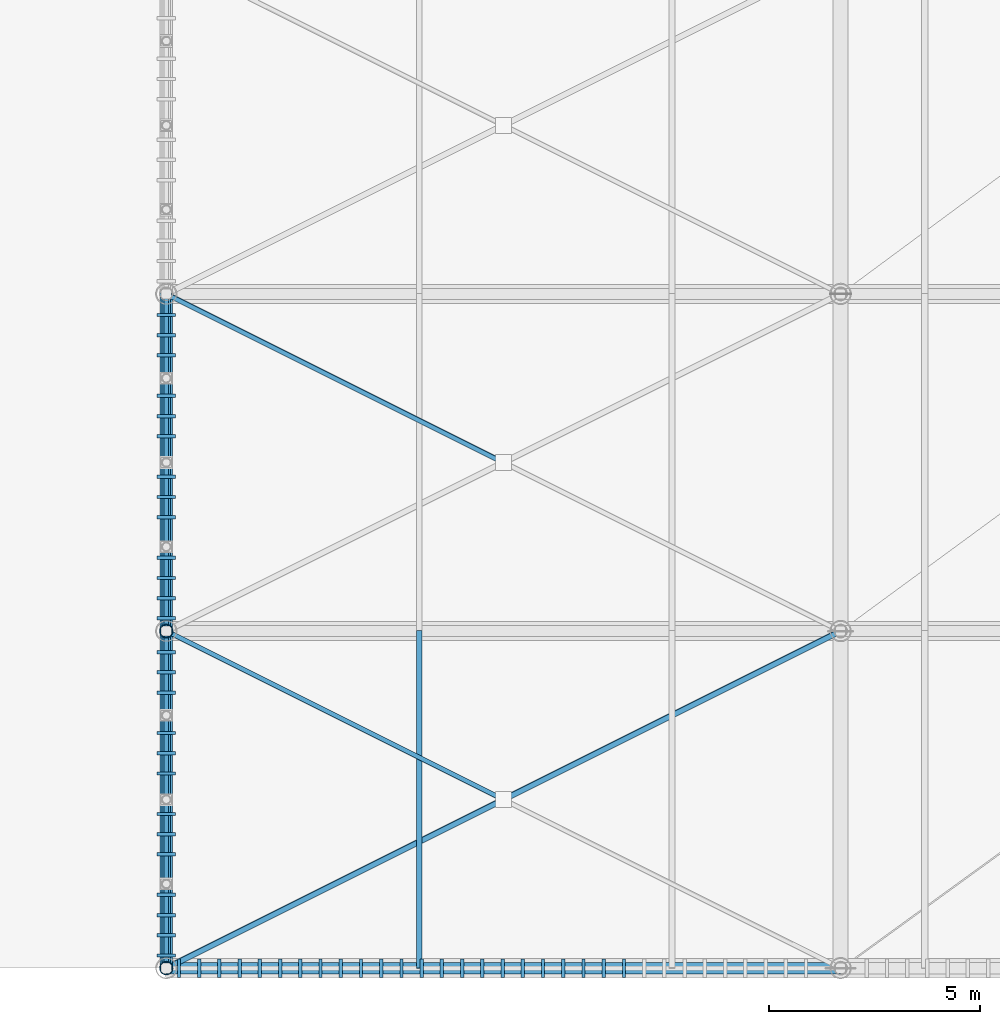
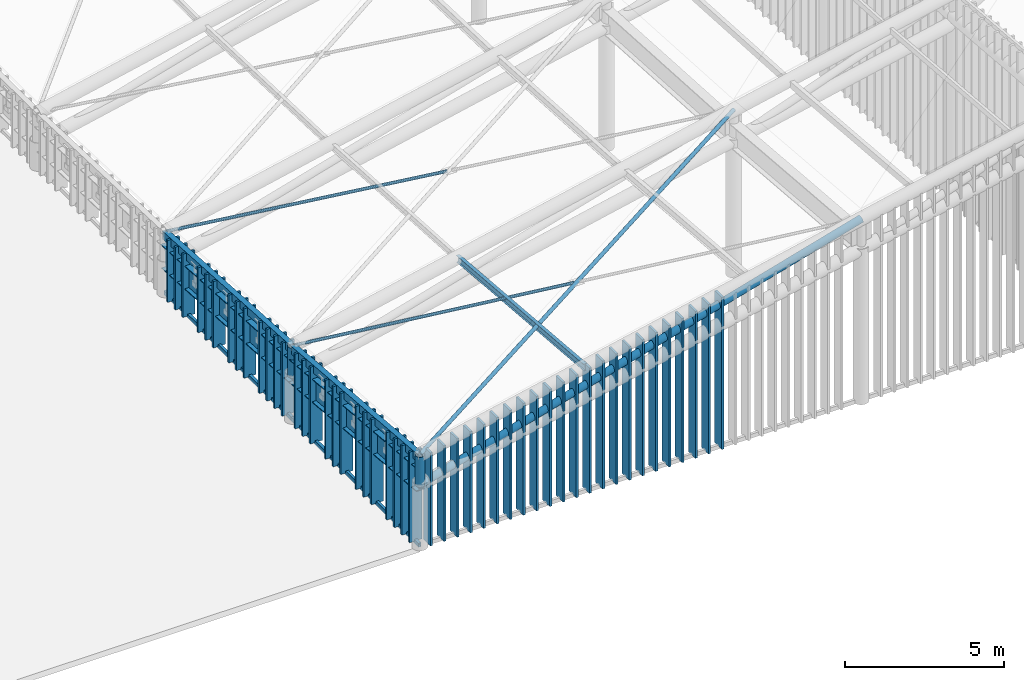
# One storey, part 3 of 25: 58 members, 4 beams.
"""IFC4 building model written with IfcOpenShell, lengths in metres."""

from ifc_helpers import new_model, si_unit, direction, frame, origin, origin_2d, place, context, subcontext, project, spatial, rectangle, hollow_rectangle, hollow_circle, i_section, extrude, material, material_profile, profile_set, type_object, element, save


model = new_model("IFC4")

# Units and contexts
model_context = context("Model", 3, precision=1e-05, world=origin(), true_north=direction((0.0, 1.0)))
body_context = subcontext(model_context, "Body", "Model", "MODEL_VIEW")
ifc_project = project(units=[si_unit("LENGTHUNIT", "METRE"), si_unit("AREAUNIT", "SQUARE_METRE"), si_unit("VOLUMEUNIT", "CUBIC_METRE"), si_unit("PLANEANGLEUNIT", "RADIAN"), si_unit("MASSUNIT", "GRAM", prefix="KILO")], contexts=[model_context])

# Site, building, storey
site_placement = place(None, origin())
site = spatial("IfcSite", under=ifc_project, at=site_placement, CompositionType="ELEMENT")
building_placement = place(site_placement, origin())
building = spatial("IfcBuilding", under=site, at=building_placement, Name="Haebicheon Civic Stadium", CompositionType="ELEMENT")
storey_placement = place(building_placement, frame((0.0, 0.0, 31.199951171875)))
storey = spatial("IfcBuildingStorey", under=building, at=storey_placement, Name="RF", CompositionType="ELEMENT", Elevation=31.199951171875)

# Members
ifc_material_1 = material(Name="White painted steel SM490", Category="steel")
ifc_material_profile_1 = material_profile(ifc_material_1, hollow_circle(Radius=0.05712890625, WallThickness=0.006103515625, at=origin_2d()), Name="CHS-114.3x6.0")
ifc_profile_set_1 = profile_set([ifc_material_profile_1], Name="White painted steel SM490")
member_type_1 = type_object("IfcMemberType", Name="BRC-CHS114", PredefinedType="BRACE", material=ifc_profile_set_1)
member_1_placement = place(storey_placement, frame((48.0, 56.0, 2.84716796875), z_axis=(0.87165287148, -0.435880059417, 0.224120158496), x_axis=(0.447257613669, 0.894405180561, 0.0)))
element("IfcMember", 1, at=member_1_placement, inside=storey, type_object=member_type_1, material=ifc_profile_set_1, Name="BR114 diagonal brace CAN-WEST canopy bay 1 B1", PredefinedType="BRACE", context=body_context, shape_type="SweptSolid", body=[
    extrude(hollow_circle(Radius=0.05712890625, WallThickness=0.006103515625, at=origin_2d()), origin(), (0.0, 0.0, 1.0), 9.105712890625),
])
member_2_placement = place(storey_placement, frame((48.0, 64.0, 2.365966796875), z_axis=(0.873664900852, -0.436886197882, 0.214102991851), x_axis=(0.447257613669, 0.894405180561, 0.0)))
element("IfcMember", 2, at=member_2_placement, inside=storey, type_object=member_type_1, material=ifc_profile_set_1, Name="BR114 diagonal brace CAN-WEST canopy bay 2 B1", PredefinedType="BRACE", context=body_context, shape_type="SweptSolid", body=[
    extrude(hollow_circle(Radius=0.05712890625, WallThickness=0.006103515625, at=origin_2d()), origin(), (0.0, 0.0, 1.0), 9.084716796875),
])
ifc_material_2 = material(Name="White painted steel SM490", Category="steel")
ifc_material_profile_2 = material_profile(ifc_material_2, hollow_circle(Radius=0.06982421875, WallThickness=0.006591796875, at=origin_2d()), Name="CHS-139.8x6.6")
ifc_profile_set_2 = profile_set([ifc_material_profile_2], Name="White painted steel SM490")
member_type_2 = type_object("IfcMemberType", Name="BRC-CHS139", PredefinedType="BRACE", material=ifc_profile_set_2)
member_3_placement = place(storey_placement, frame((48.0, 48.0, 3.52099609375), z_axis=(0.88392207516, 0.44196103758, 0.152814286981), x_axis=(-0.4472135955, 0.894427191, 0.0)))
element("IfcMember", 3, at=member_3_placement, inside=storey, type_object=member_type_2, material=ifc_profile_set_2, Name="BR139 diagonal brace CAN-WEST canopy bay 1 A", PredefinedType="BRACE", context=body_context, shape_type="SweptSolid", body=[
    extrude(hollow_circle(Radius=0.06982421875, WallThickness=0.006591796875, at=origin_2d()), origin(), (0.0, 0.0, 1.0), 18.10107421875),
])
ifc_material_3 = material(Name="White painted steel SM490", Category="steel")
ifc_material_profile_3 = material_profile(ifc_material_3, hollow_circle(Radius=0.1337890625, WallThickness=0.011962890625, at=origin_2d()), Name="CHS-267.4x12.0")
ifc_profile_set_3 = profile_set([ifc_material_profile_3], Name="White painted steel SM490")
member_type_3 = type_object("IfcMemberType", Name="BRC-CHS267", PredefinedType="BRACE", material=ifc_profile_set_3)
member_4_placement = place(storey_placement, frame((48.0, 48.0, 2.37109375), z_axis=(0.961231166105, 0.0, 0.275743803753), x_axis=(0.0, 1.0, 0.0)))
element("IfcMember", 4, at=member_4_placement, inside=storey, type_object=member_type_3, material=ifc_profile_set_3, Name="BR267 diagonal brace CAN-WEST truss 1 D1", PredefinedType="BRACE", context=body_context, shape_type="SweptSolid", body=[
    extrude(hollow_circle(Radius=0.1337890625, WallThickness=0.011962890625, at=origin_2d()), origin(), (0.0, 0.0, 1.0), 16.645263671875),
])
ifc_material_4 = material(Name="Acetylated timber GL28h", Category="wood")
ifc_material_profile_4 = material_profile(ifc_material_4, rectangle(XDim=0.080078125, YDim=0.43994140625, at=origin_2d()), Name="TMB-LOUV-80x440")
ifc_profile_set_4 = profile_set([ifc_material_profile_4], Name="Acetylated timber GL28h")
member_type_4 = type_object("IfcMemberType", Name="CRN-LVR-440x80", PredefinedType="PLATE", material=ifc_profile_set_4)
member_5_placement = place(storey_placement, frame((48.0, 48.300048828125, 0.050048828125), z_axis=(0.0, 0.0, 1.0), x_axis=(0.0, 1.0, 0.0)))
element("IfcMember", 5, at=member_5_placement, inside=storey, type_object=member_type_4, material=ifc_profile_set_4, Name="Crown wind-baffle slat W.1.1", PredefinedType="PLATE", context=body_context, shape_type="SweptSolid", body=[
    extrude(rectangle(XDim=0.080078125, YDim=0.43994140625, at=origin_2d()), origin(), (0.0, 0.0, 1.0), 3.47509765625),
])
member_6_placement = place(storey_placement, frame((48.0, 48.780029296875, 0.050048828125), z_axis=(0.0, 0.0, 1.0), x_axis=(0.0, 1.0, 0.0)))
element("IfcMember", 6, at=member_6_placement, inside=storey, type_object=member_type_4, material=ifc_profile_set_4, Name="Crown wind-baffle slat W.1.2", PredefinedType="PLATE", context=body_context, shape_type="SweptSolid", body=[
    extrude(rectangle(XDim=0.080078125, YDim=0.43994140625, at=origin_2d()), origin(), (0.0, 0.0, 1.0), 3.43408203125),
])
member_7_placement = place(storey_placement, frame((48.0, 49.260009765625, 0.050048828125), z_axis=(0.0, 0.0, 1.0), x_axis=(0.0, 1.0, 0.0)))
element("IfcMember", 7, at=member_7_placement, inside=storey, type_object=member_type_4, material=ifc_profile_set_4, Name="Crown wind-baffle slat W.1.3", PredefinedType="PLATE", context=body_context, shape_type="SweptSolid", body=[
    extrude(rectangle(XDim=0.080078125, YDim=0.43994140625, at=origin_2d()), origin(), (0.0, 0.0, 1.0), 3.39404296875),
])
member_8_placement = place(storey_placement, frame((48.0, 49.739990234375, 0.050048828125), z_axis=(0.0, 0.0, 1.0), x_axis=(0.0, 1.0, 0.0)))
element("IfcMember", 8, at=member_8_placement, inside=storey, type_object=member_type_4, material=ifc_profile_set_4, Name="Crown wind-baffle slat W.1.4", PredefinedType="PLATE", context=body_context, shape_type="SweptSolid", body=[
    extrude(rectangle(XDim=0.080078125, YDim=0.43994140625, at=origin_2d()), origin(), (0.0, 0.0, 1.0), 3.35302734375),
])
member_9_placement = place(storey_placement, frame((48.0, 50.699951171875, 0.050048828125), z_axis=(0.0, 0.0, 1.0), x_axis=(0.0, 1.0, 0.0)))
element("IfcMember", 9, at=member_9_placement, inside=storey, type_object=member_type_4, material=ifc_profile_set_4, Name="Crown wind-baffle slat W.1.6", PredefinedType="PLATE", context=body_context, shape_type="SweptSolid", body=[
    extrude(rectangle(XDim=0.080078125, YDim=0.43994140625, at=origin_2d()), origin(), (0.0, 0.0, 1.0), 3.27294921875),
])
member_10_placement = place(storey_placement, frame((48.0, 51.179931640625, 0.050048828125), z_axis=(0.0, 0.0, 1.0), x_axis=(0.0, 1.0, 0.0)))
element("IfcMember", 10, at=member_10_placement, inside=storey, type_object=member_type_4, material=ifc_profile_set_4, Name="Crown wind-baffle slat W.1.7", PredefinedType="PLATE", context=body_context, shape_type="SweptSolid", body=[
    extrude(rectangle(XDim=0.080078125, YDim=0.43994140625, at=origin_2d()), origin(), (0.0, 0.0, 1.0), 3.23193359375),
])
member_11_placement = place(storey_placement, frame((48.0, 51.659912109375, 0.050048828125), z_axis=(0.0, 0.0, 1.0), x_axis=(0.0, 1.0, 0.0)))
element("IfcMember", 11, at=member_11_placement, inside=storey, type_object=member_type_4, material=ifc_profile_set_4, Name="Crown wind-baffle slat W.1.8", PredefinedType="PLATE", context=body_context, shape_type="SweptSolid", body=[
    extrude(rectangle(XDim=0.080078125, YDim=0.43994140625, at=origin_2d()), origin(), (0.0, 0.0, 1.0), 3.19189453125),
])
member_12_placement = place(storey_placement, frame((48.0, 52.6201171875, 0.050048828125), z_axis=(0.0, 0.0, 1.0), x_axis=(0.0, 1.0, 0.0)))
element("IfcMember", 12, at=member_12_placement, inside=storey, type_object=member_type_4, material=ifc_profile_set_4, Name="Crown wind-baffle slat W.1.10", PredefinedType="PLATE", context=body_context, shape_type="SweptSolid", body=[
    extrude(rectangle(XDim=0.080078125, YDim=0.43994140625, at=origin_2d()), origin(), (0.0, 0.0, 1.0), 3.111083984375),
])
member_13_placement = place(storey_placement, frame((48.0, 53.10009765625, 0.050048828125), z_axis=(0.0, 0.0, 1.0), x_axis=(0.0, 1.0, 0.0)))
element("IfcMember", 13, at=member_13_placement, inside=storey, type_object=member_type_4, material=ifc_profile_set_4, Name="Crown wind-baffle slat W.1.11", PredefinedType="PLATE", context=body_context, shape_type="SweptSolid", body=[
    extrude(rectangle(XDim=0.080078125, YDim=0.43994140625, at=origin_2d()), origin(), (0.0, 0.0, 1.0), 3.070068359375),
])
member_14_placement = place(storey_placement, frame((48.0, 53.580078125, 0.050048828125), z_axis=(0.0, 0.0, 1.0), x_axis=(0.0, 1.0, 0.0)))
element("IfcMember", 14, at=member_14_placement, inside=storey, type_object=member_type_4, material=ifc_profile_set_4, Name="Crown wind-baffle slat W.1.12", PredefinedType="PLATE", context=body_context, shape_type="SweptSolid", body=[
    extrude(rectangle(XDim=0.080078125, YDim=0.43994140625, at=origin_2d()), origin(), (0.0, 0.0, 1.0), 3.030029296875),
])
member_15_placement = place(storey_placement, frame((48.0, 54.5400390625, 0.050048828125), z_axis=(0.0, 0.0, 1.0), x_axis=(0.0, 1.0, 0.0)))
element("IfcMember", 15, at=member_15_placement, inside=storey, type_object=member_type_4, material=ifc_profile_set_4, Name="Crown wind-baffle slat W.1.14", PredefinedType="PLATE", context=body_context, shape_type="SweptSolid", body=[
    extrude(rectangle(XDim=0.080078125, YDim=0.43994140625, at=origin_2d()), origin(), (0.0, 0.0, 1.0), 2.948974609375),
])
member_16_placement = place(storey_placement, frame((48.0, 55.02001953125, 0.050048828125), z_axis=(0.0, 0.0, 1.0), x_axis=(0.0, 1.0, 0.0)))
element("IfcMember", 16, at=member_16_placement, inside=storey, type_object=member_type_4, material=ifc_profile_set_4, Name="Crown wind-baffle slat W.1.15", PredefinedType="PLATE", context=body_context, shape_type="SweptSolid", body=[
    extrude(rectangle(XDim=0.080078125, YDim=0.43994140625, at=origin_2d()), origin(), (0.0, 0.0, 1.0), 2.908935546875),
])
member_17_placement = place(storey_placement, frame((48.0, 55.5, 0.050048828125), z_axis=(0.0, 0.0, 1.0), x_axis=(0.0, 1.0, 0.0)))
element("IfcMember", 17, at=member_17_placement, inside=storey, type_object=member_type_4, material=ifc_profile_set_4, Name="Crown wind-baffle slat W.1.16", PredefinedType="PLATE", context=body_context, shape_type="SweptSolid", body=[
    extrude(rectangle(XDim=0.080078125, YDim=0.43994140625, at=origin_2d()), origin(), (0.0, 0.0, 1.0), 2.867919921875),
])
member_18_placement = place(storey_placement, frame((48.0, 56.300048828125, 0.050048828125), z_axis=(0.0, 0.0, 1.0), x_axis=(0.0, 1.0, 0.0)))
element("IfcMember", 18, at=member_18_placement, inside=storey, type_object=member_type_4, material=ifc_profile_set_4, Name="Crown wind-baffle slat W.2.1", PredefinedType="PLATE", context=body_context, shape_type="SweptSolid", body=[
    extrude(rectangle(XDim=0.080078125, YDim=0.43994140625, at=origin_2d()), origin(), (0.0, 0.0, 1.0), 2.80810546875),
])
member_19_placement = place(storey_placement, frame((48.0, 56.780029296875, 0.050048828125), z_axis=(0.0, 0.0, 1.0), x_axis=(0.0, 1.0, 0.0)))
element("IfcMember", 19, at=member_19_placement, inside=storey, type_object=member_type_4, material=ifc_profile_set_4, Name="Crown wind-baffle slat W.2.2", PredefinedType="PLATE", context=body_context, shape_type="SweptSolid", body=[
    extrude(rectangle(XDim=0.080078125, YDim=0.43994140625, at=origin_2d()), origin(), (0.0, 0.0, 1.0), 2.779052734375),
])
member_20_placement = place(storey_placement, frame((48.0, 57.260009765625, 0.050048828125), z_axis=(0.0, 0.0, 1.0), x_axis=(0.0, 1.0, 0.0)))
element("IfcMember", 20, at=member_20_placement, inside=storey, type_object=member_type_4, material=ifc_profile_set_4, Name="Crown wind-baffle slat W.2.3", PredefinedType="PLATE", context=body_context, shape_type="SweptSolid", body=[
    extrude(rectangle(XDim=0.080078125, YDim=0.43994140625, at=origin_2d()), origin(), (0.0, 0.0, 1.0), 2.75),
])
member_21_placement = place(storey_placement, frame((48.0, 57.739990234375, 0.050048828125), z_axis=(0.0, 0.0, 1.0), x_axis=(0.0, 1.0, 0.0)))
element("IfcMember", 21, at=member_21_placement, inside=storey, type_object=member_type_4, material=ifc_profile_set_4, Name="Crown wind-baffle slat W.2.4", PredefinedType="PLATE", context=body_context, shape_type="SweptSolid", body=[
    extrude(rectangle(XDim=0.080078125, YDim=0.43994140625, at=origin_2d()), origin(), (0.0, 0.0, 1.0), 2.720947265625),
])
member_22_placement = place(storey_placement, frame((48.0, 58.699951171875, 0.050048828125), z_axis=(0.0, 0.0, 1.0), x_axis=(0.0, 1.0, 0.0)))
element("IfcMember", 22, at=member_22_placement, inside=storey, type_object=member_type_4, material=ifc_profile_set_4, Name="Crown wind-baffle slat W.2.6", PredefinedType="PLATE", context=body_context, shape_type="SweptSolid", body=[
    extrude(rectangle(XDim=0.080078125, YDim=0.43994140625, at=origin_2d()), origin(), (0.0, 0.0, 1.0), 2.6640625),
])
member_23_placement = place(storey_placement, frame((48.0, 59.179931640625, 0.050048828125), z_axis=(0.0, 0.0, 1.0), x_axis=(0.0, 1.0, 0.0)))
element("IfcMember", 23, at=member_23_placement, inside=storey, type_object=member_type_4, material=ifc_profile_set_4, Name="Crown wind-baffle slat W.2.7", PredefinedType="PLATE", context=body_context, shape_type="SweptSolid", body=[
    extrude(rectangle(XDim=0.080078125, YDim=0.43994140625, at=origin_2d()), origin(), (0.0, 0.0, 1.0), 2.635009765625),
])
member_24_placement = place(storey_placement, frame((48.0, 59.659912109375, 0.050048828125), z_axis=(0.0, 0.0, 1.0), x_axis=(0.0, 1.0, 0.0)))
element("IfcMember", 24, at=member_24_placement, inside=storey, type_object=member_type_4, material=ifc_profile_set_4, Name="Crown wind-baffle slat W.2.8", PredefinedType="PLATE", context=body_context, shape_type="SweptSolid", body=[
    extrude(rectangle(XDim=0.080078125, YDim=0.43994140625, at=origin_2d()), origin(), (0.0, 0.0, 1.0), 2.60595703125),
])
member_25_placement = place(storey_placement, frame((48.0, 60.6201171875, 0.050048828125), z_axis=(0.0, 0.0, 1.0), x_axis=(0.0, 1.0, 0.0)))
element("IfcMember", 25, at=member_25_placement, inside=storey, type_object=member_type_4, material=ifc_profile_set_4, Name="Crown wind-baffle slat W.2.10", PredefinedType="PLATE", context=body_context, shape_type="SweptSolid", body=[
    extrude(rectangle(XDim=0.080078125, YDim=0.43994140625, at=origin_2d()), origin(), (0.0, 0.0, 1.0), 2.548095703125),
])
member_26_placement = place(storey_placement, frame((48.0, 61.10009765625, 0.050048828125), z_axis=(0.0, 0.0, 1.0), x_axis=(0.0, 1.0, 0.0)))
element("IfcMember", 26, at=member_26_placement, inside=storey, type_object=member_type_4, material=ifc_profile_set_4, Name="Crown wind-baffle slat W.2.11", PredefinedType="PLATE", context=body_context, shape_type="SweptSolid", body=[
    extrude(rectangle(XDim=0.080078125, YDim=0.43994140625, at=origin_2d()), origin(), (0.0, 0.0, 1.0), 2.51904296875),
])
member_27_placement = place(storey_placement, frame((48.0, 61.580078125, 0.050048828125), z_axis=(0.0, 0.0, 1.0), x_axis=(0.0, 1.0, 0.0)))
element("IfcMember", 27, at=member_27_placement, inside=storey, type_object=member_type_4, material=ifc_profile_set_4, Name="Crown wind-baffle slat W.2.12", PredefinedType="PLATE", context=body_context, shape_type="SweptSolid", body=[
    extrude(rectangle(XDim=0.080078125, YDim=0.43994140625, at=origin_2d()), origin(), (0.0, 0.0, 1.0), 2.490966796875),
])
member_28_placement = place(storey_placement, frame((48.0, 62.5400390625, 0.050048828125), z_axis=(0.0, 0.0, 1.0), x_axis=(0.0, 1.0, 0.0)))
element("IfcMember", 28, at=member_28_placement, inside=storey, type_object=member_type_4, material=ifc_profile_set_4, Name="Crown wind-baffle slat W.2.14", PredefinedType="PLATE", context=body_context, shape_type="SweptSolid", body=[
    extrude(rectangle(XDim=0.080078125, YDim=0.43994140625, at=origin_2d()), origin(), (0.0, 0.0, 1.0), 2.43310546875),
])
member_29_placement = place(storey_placement, frame((48.0, 63.02001953125, 0.050048828125), z_axis=(0.0, 0.0, 1.0), x_axis=(0.0, 1.0, 0.0)))
element("IfcMember", 29, at=member_29_placement, inside=storey, type_object=member_type_4, material=ifc_profile_set_4, Name="Crown wind-baffle slat W.2.15", PredefinedType="PLATE", context=body_context, shape_type="SweptSolid", body=[
    extrude(rectangle(XDim=0.080078125, YDim=0.43994140625, at=origin_2d()), origin(), (0.0, 0.0, 1.0), 2.404052734375),
])
member_30_placement = place(storey_placement, frame((48.0, 63.5, 0.050048828125), z_axis=(0.0, 0.0, 1.0), x_axis=(0.0, 1.0, 0.0)))
element("IfcMember", 30, at=member_30_placement, inside=storey, type_object=member_type_4, material=ifc_profile_set_4, Name="Crown wind-baffle slat W.2.16", PredefinedType="PLATE", context=body_context, shape_type="SweptSolid", body=[
    extrude(rectangle(XDim=0.080078125, YDim=0.43994140625, at=origin_2d()), origin(), (0.0, 0.0, 1.0), 2.375),
])
member_31_placement = place(storey_placement, frame((48.300048828125, 48.0, 0.050048828125), z_axis=(0.0, 0.0, 1.0), x_axis=(1.0, 0.0, 0.0)))
element("IfcMember", 31, at=member_31_placement, inside=storey, type_object=member_type_4, material=ifc_profile_set_4, Name="Crown gable wind-baffle slat S.1", PredefinedType="PLATE", context=body_context, shape_type="SweptSolid", body=[
    extrude(rectangle(XDim=0.080078125, YDim=0.43994140625, at=origin_2d()), origin(), (0.0, 0.0, 1.0), 3.56396484375),
])
member_32_placement = place(storey_placement, frame((48.780029296875, 48.0, 0.050048828125), z_axis=(0.0, 0.0, 1.0), x_axis=(1.0, 0.0, 0.0)))
element("IfcMember", 32, at=member_32_placement, inside=storey, type_object=member_type_4, material=ifc_profile_set_4, Name="Crown gable wind-baffle slat S.2", PredefinedType="PLATE", context=body_context, shape_type="SweptSolid", body=[
    extrude(rectangle(XDim=0.080078125, YDim=0.43994140625, at=origin_2d()), origin(), (0.0, 0.0, 1.0), 3.66796875),
])
member_33_placement = place(storey_placement, frame((49.260009765625, 48.0, 0.050048828125), z_axis=(0.0, 0.0, 1.0), x_axis=(1.0, 0.0, 0.0)))
element("IfcMember", 33, at=member_33_placement, inside=storey, type_object=member_type_4, material=ifc_profile_set_4, Name="Crown gable wind-baffle slat S.3", PredefinedType="PLATE", context=body_context, shape_type="SweptSolid", body=[
    extrude(rectangle(XDim=0.080078125, YDim=0.43994140625, at=origin_2d()), origin(), (0.0, 0.0, 1.0), 3.77099609375),
])
member_34_placement = place(storey_placement, frame((49.739990234375, 48.0, 0.050048828125), z_axis=(0.0, 0.0, 1.0), x_axis=(1.0, 0.0, 0.0)))
element("IfcMember", 34, at=member_34_placement, inside=storey, type_object=member_type_4, material=ifc_profile_set_4, Name="Crown gable wind-baffle slat S.4", PredefinedType="PLATE", context=body_context, shape_type="SweptSolid", body=[
    extrude(rectangle(XDim=0.080078125, YDim=0.43994140625, at=origin_2d()), origin(), (0.0, 0.0, 1.0), 3.8740234375),
])
member_35_placement = place(storey_placement, frame((50.219970703125, 48.0, 0.050048828125), z_axis=(0.0, 0.0, 1.0), x_axis=(1.0, 0.0, 0.0)))
element("IfcMember", 35, at=member_35_placement, inside=storey, type_object=member_type_4, material=ifc_profile_set_4, Name="Crown gable wind-baffle slat S.5", PredefinedType="PLATE", context=body_context, shape_type="SweptSolid", body=[
    extrude(rectangle(XDim=0.080078125, YDim=0.43994140625, at=origin_2d()), origin(), (0.0, 0.0, 1.0), 3.97705078125),
])
member_36_placement = place(storey_placement, frame((50.699951171875, 48.0, 0.050048828125), z_axis=(0.0, 0.0, 1.0), x_axis=(1.0, 0.0, 0.0)))
element("IfcMember", 36, at=member_36_placement, inside=storey, type_object=member_type_4, material=ifc_profile_set_4, Name="Crown gable wind-baffle slat S.6", PredefinedType="PLATE", context=body_context, shape_type="SweptSolid", body=[
    extrude(rectangle(XDim=0.080078125, YDim=0.43994140625, at=origin_2d()), origin(), (0.0, 0.0, 1.0), 4.080078125),
])
member_37_placement = place(storey_placement, frame((51.179931640625, 48.0, 0.050048828125), z_axis=(0.0, 0.0, 1.0), x_axis=(1.0, 0.0, 0.0)))
element("IfcMember", 37, at=member_37_placement, inside=storey, type_object=member_type_4, material=ifc_profile_set_4, Name="Crown gable wind-baffle slat S.7", PredefinedType="PLATE", context=body_context, shape_type="SweptSolid", body=[
    extrude(rectangle(XDim=0.080078125, YDim=0.43994140625, at=origin_2d()), origin(), (0.0, 0.0, 1.0), 4.18408203125),
])
member_38_placement = place(storey_placement, frame((51.659912109375, 48.0, 0.050048828125), z_axis=(0.0, 0.0, 1.0), x_axis=(1.0, 0.0, 0.0)))
element("IfcMember", 38, at=member_38_placement, inside=storey, type_object=member_type_4, material=ifc_profile_set_4, Name="Crown gable wind-baffle slat S.8", PredefinedType="PLATE", context=body_context, shape_type="SweptSolid", body=[
    extrude(rectangle(XDim=0.080078125, YDim=0.43994140625, at=origin_2d()), origin(), (0.0, 0.0, 1.0), 4.287109375),
])
member_39_placement = place(storey_placement, frame((52.139892578125, 48.0, 0.050048828125), z_axis=(0.0, 0.0, 1.0), x_axis=(1.0, 0.0, 0.0)))
element("IfcMember", 39, at=member_39_placement, inside=storey, type_object=member_type_4, material=ifc_profile_set_4, Name="Crown gable wind-baffle slat S.9", PredefinedType="PLATE", context=body_context, shape_type="SweptSolid", body=[
    extrude(rectangle(XDim=0.080078125, YDim=0.43994140625, at=origin_2d()), origin(), (0.0, 0.0, 1.0), 4.389892578125),
])
member_40_placement = place(storey_placement, frame((52.6201171875, 48.0, 0.050048828125), z_axis=(0.0, 0.0, 1.0), x_axis=(1.0, 0.0, 0.0)))
element("IfcMember", 40, at=member_40_placement, inside=storey, type_object=member_type_4, material=ifc_profile_set_4, Name="Crown gable wind-baffle slat S.10", PredefinedType="PLATE", context=body_context, shape_type="SweptSolid", body=[
    extrude(rectangle(XDim=0.080078125, YDim=0.43994140625, at=origin_2d()), origin(), (0.0, 0.0, 1.0), 4.492919921875),
])
member_41_placement = place(storey_placement, frame((53.10009765625, 48.0, 0.050048828125), z_axis=(0.0, 0.0, 1.0), x_axis=(1.0, 0.0, 0.0)))
element("IfcMember", 41, at=member_41_placement, inside=storey, type_object=member_type_4, material=ifc_profile_set_4, Name="Crown gable wind-baffle slat S.11", PredefinedType="PLATE", context=body_context, shape_type="SweptSolid", body=[
    extrude(rectangle(XDim=0.080078125, YDim=0.43994140625, at=origin_2d()), origin(), (0.0, 0.0, 1.0), 4.595947265625),
])
member_42_placement = place(storey_placement, frame((53.580078125, 48.0, 0.050048828125), z_axis=(0.0, 0.0, 1.0), x_axis=(1.0, 0.0, 0.0)))
element("IfcMember", 42, at=member_42_placement, inside=storey, type_object=member_type_4, material=ifc_profile_set_4, Name="Crown gable wind-baffle slat S.12", PredefinedType="PLATE", context=body_context, shape_type="SweptSolid", body=[
    extrude(rectangle(XDim=0.080078125, YDim=0.43994140625, at=origin_2d()), origin(), (0.0, 0.0, 1.0), 4.699951171875),
])
member_43_placement = place(storey_placement, frame((54.06005859375, 48.0, 0.050048828125), z_axis=(0.0, 0.0, 1.0), x_axis=(1.0, 0.0, 0.0)))
element("IfcMember", 43, at=member_43_placement, inside=storey, type_object=member_type_4, material=ifc_profile_set_4, Name="Crown gable wind-baffle slat S.13", PredefinedType="PLATE", context=body_context, shape_type="SweptSolid", body=[
    extrude(rectangle(XDim=0.080078125, YDim=0.43994140625, at=origin_2d()), origin(), (0.0, 0.0, 1.0), 4.802978515625),
])
member_44_placement = place(storey_placement, frame((54.5400390625, 48.0, 0.050048828125), z_axis=(0.0, 0.0, 1.0), x_axis=(1.0, 0.0, 0.0)))
element("IfcMember", 44, at=member_44_placement, inside=storey, type_object=member_type_4, material=ifc_profile_set_4, Name="Crown gable wind-baffle slat S.14", PredefinedType="PLATE", context=body_context, shape_type="SweptSolid", body=[
    extrude(rectangle(XDim=0.080078125, YDim=0.43994140625, at=origin_2d()), origin(), (0.0, 0.0, 1.0), 4.906005859375),
])
member_45_placement = place(storey_placement, frame((55.02001953125, 48.0, 0.050048828125), z_axis=(0.0, 0.0, 1.0), x_axis=(1.0, 0.0, 0.0)))
element("IfcMember", 45, at=member_45_placement, inside=storey, type_object=member_type_4, material=ifc_profile_set_4, Name="Crown gable wind-baffle slat S.15", PredefinedType="PLATE", context=body_context, shape_type="SweptSolid", body=[
    extrude(rectangle(XDim=0.080078125, YDim=0.43994140625, at=origin_2d()), origin(), (0.0, 0.0, 1.0), 5.009033203125),
])
member_46_placement = place(storey_placement, frame((55.5, 48.0, 0.050048828125), z_axis=(0.0, 0.0, 1.0), x_axis=(1.0, 0.0, 0.0)))
element("IfcMember", 46, at=member_46_placement, inside=storey, type_object=member_type_4, material=ifc_profile_set_4, Name="Crown gable wind-baffle slat S.16", PredefinedType="PLATE", context=body_context, shape_type="SweptSolid", body=[
    extrude(rectangle(XDim=0.080078125, YDim=0.43994140625, at=origin_2d()), origin(), (0.0, 0.0, 1.0), 5.112060546875),
])
member_47_placement = place(storey_placement, frame((55.97998046875, 48.0, 0.050048828125), z_axis=(0.0, 0.0, 1.0), x_axis=(1.0, 0.0, 0.0)))
element("IfcMember", 47, at=member_47_placement, inside=storey, type_object=member_type_4, material=ifc_profile_set_4, Name="Crown gable wind-baffle slat S.17", PredefinedType="PLATE", context=body_context, shape_type="SweptSolid", body=[
    extrude(rectangle(XDim=0.080078125, YDim=0.43994140625, at=origin_2d()), origin(), (0.0, 0.0, 1.0), 5.216064453125),
])
member_48_placement = place(storey_placement, frame((56.4599609375, 48.0, 0.050048828125), z_axis=(0.0, 0.0, 1.0), x_axis=(1.0, 0.0, 0.0)))
element("IfcMember", 48, at=member_48_placement, inside=storey, type_object=member_type_4, material=ifc_profile_set_4, Name="Crown gable wind-baffle slat S.18", PredefinedType="PLATE", context=body_context, shape_type="SweptSolid", body=[
    extrude(rectangle(XDim=0.080078125, YDim=0.43994140625, at=origin_2d()), origin(), (0.0, 0.0, 1.0), 5.319091796875),
])
member_49_placement = place(storey_placement, frame((56.93994140625, 48.0, 0.050048828125), z_axis=(0.0, 0.0, 1.0), x_axis=(1.0, 0.0, 0.0)))
element("IfcMember", 49, at=member_49_placement, inside=storey, type_object=member_type_4, material=ifc_profile_set_4, Name="Crown gable wind-baffle slat S.19", PredefinedType="PLATE", context=body_context, shape_type="SweptSolid", body=[
    extrude(rectangle(XDim=0.080078125, YDim=0.43994140625, at=origin_2d()), origin(), (0.0, 0.0, 1.0), 5.422119140625),
])
member_50_placement = place(storey_placement, frame((57.419921875, 48.0, 0.050048828125), z_axis=(0.0, 0.0, 1.0), x_axis=(1.0, 0.0, 0.0)))
element("IfcMember", 50, at=member_50_placement, inside=storey, type_object=member_type_4, material=ifc_profile_set_4, Name="Crown gable wind-baffle slat S.20", PredefinedType="PLATE", context=body_context, shape_type="SweptSolid", body=[
    extrude(rectangle(XDim=0.080078125, YDim=0.43994140625, at=origin_2d()), origin(), (0.0, 0.0, 1.0), 5.52490234375),
])
member_51_placement = place(storey_placement, frame((57.89990234375, 48.0, 0.050048828125), z_axis=(0.0, 0.0, 1.0), x_axis=(1.0, 0.0, 0.0)))
element("IfcMember", 51, at=member_51_placement, inside=storey, type_object=member_type_4, material=ifc_profile_set_4, Name="Crown gable wind-baffle slat S.21", PredefinedType="PLATE", context=body_context, shape_type="SweptSolid", body=[
    extrude(rectangle(XDim=0.080078125, YDim=0.43994140625, at=origin_2d()), origin(), (0.0, 0.0, 1.0), 5.6279296875),
])
member_52_placement = place(storey_placement, frame((58.3798828125, 48.0, 0.050048828125), z_axis=(0.0, 0.0, 1.0), x_axis=(1.0, 0.0, 0.0)))
element("IfcMember", 52, at=member_52_placement, inside=storey, type_object=member_type_4, material=ifc_profile_set_4, Name="Crown gable wind-baffle slat S.22", PredefinedType="PLATE", context=body_context, shape_type="SweptSolid", body=[
    extrude(rectangle(XDim=0.080078125, YDim=0.43994140625, at=origin_2d()), origin(), (0.0, 0.0, 1.0), 5.73193359375),
])
member_53_placement = place(storey_placement, frame((58.860107421875, 48.0, 0.050048828125), z_axis=(0.0, 0.0, 1.0), x_axis=(1.0, 0.0, 0.0)))
element("IfcMember", 53, at=member_53_placement, inside=storey, type_object=member_type_4, material=ifc_profile_set_4, Name="Crown gable wind-baffle slat S.23", PredefinedType="PLATE", context=body_context, shape_type="SweptSolid", body=[
    extrude(rectangle(XDim=0.080078125, YDim=0.43994140625, at=origin_2d()), origin(), (0.0, 0.0, 1.0), 5.8349609375),
])
ifc_material_5 = material(Name="White painted steel SM490", Category="steel")
ifc_material_profile_5 = material_profile(ifc_material_5, i_section(OverallWidth=0.125, OverallDepth=0.25, WebThickness=0.006103515625, FlangeThickness=0.009033203125, at=origin_2d()), Name="H-250x125x6x9")
ifc_profile_set_5 = profile_set([ifc_material_profile_5], Name="White painted steel SM490")
member_type_5 = type_object("IfcMemberType", Name="PRL-ST-H250", PredefinedType="PURLIN", material=ifc_profile_set_5)
member_54_placement = place(storey_placement, frame((54.0, 48.0, 4.77001953125), z_axis=(0.0, 0.996468998063, -0.083961514394), x_axis=(-1.0, 0.0, 0.0)))
element("IfcMember", 54, at=member_54_placement, inside=storey, type_object=member_type_5, material=ifc_profile_set_5, Name="CAN-WEST canopy purlin bay 1 (25%)", PredefinedType="PURLIN", context=body_context, shape_type="SweptSolid", body=[
    extrude(i_section(OverallWidth=0.125, OverallDepth=0.25, WebThickness=0.006103515625, FlangeThickness=0.009033203125, at=origin_2d()), origin(), (0.0, 0.0, 1.0), 8.0283203125),
])

# Beams
ifc_material_6 = material(Name="White painted steel SM490", Category="steel")
ifc_material_profile_6 = material_profile(ifc_material_6, i_section(OverallWidth=0.300048828125, OverallDepth=0.89990234375, WebThickness=0.01611328125, FlangeThickness=0.028076171875, at=origin_2d()), Name="H-900x300x16x28")
ifc_profile_set_6 = profile_set([ifc_material_profile_6], Name="White painted steel SM490")
beam_type_1 = type_object("IfcBeamType", Name="RB-ST-H900B", PredefinedType="USERDEFINED", material=ifc_profile_set_6)
beam_1_placement = place(storey_placement, frame((48.0, 48.0, 2.62109375), z_axis=(0.0, 0.996468998063, -0.083961514394), x_axis=(-1.0, 0.0, 0.0)))
element("IfcBeam", 55, at=beam_1_placement, inside=storey, type_object=beam_type_1, material=ifc_profile_set_6, Name="CAN-WEST polygonal ring beam RB-BCK bay 1", ObjectType="RING BEAM", PredefinedType="USERDEFINED", context=body_context, shape_type="SweptSolid", body=[
    extrude(i_section(OverallWidth=0.300048828125, OverallDepth=0.89990234375, WebThickness=0.01611328125, FlangeThickness=0.028076171875, at=origin_2d()), origin(), (0.0, 0.0, 1.0), 8.0283203125),
])
beam_2_placement = place(storey_placement, frame((48.0, 56.0, 1.947021484375), z_axis=(0.0, 0.998197699277, -0.060011275256), x_axis=(-1.0, 0.0, 0.0)))
element("IfcBeam", 56, at=beam_2_placement, inside=storey, type_object=beam_type_1, material=ifc_profile_set_6, Name="CAN-WEST polygonal ring beam RB-BCK bay 2", ObjectType="RING BEAM", PredefinedType="USERDEFINED", context=body_context, shape_type="SweptSolid", body=[
    extrude(i_section(OverallWidth=0.300048828125, OverallDepth=0.89990234375, WebThickness=0.01611328125, FlangeThickness=0.028076171875, at=origin_2d()), origin(), (0.0, 0.0, 1.0), 8.014404296875),
])
ifc_material_7 = material(Name="White painted steel SM490", Category="steel")
ifc_material_profile_7 = material_profile(ifc_material_7, hollow_rectangle(XDim=0.199951171875, YDim=0.300048828125, WallThickness=0.011962890625, at=origin_2d()), Name="RHS-300x200x12.0")
ifc_profile_set_7 = profile_set([ifc_material_profile_7], Name="White painted steel SM490")
beam_type_2 = type_object("IfcBeamType", Name="RB-ST-RHS300", PredefinedType="USERDEFINED", material=ifc_profile_set_7)
beam_3_placement = place(storey_placement, frame((48.0, 48.0, 3.421142578125), z_axis=(0.0, 0.996468998063, -0.083961514394), x_axis=(-1.0, 0.0, 0.0)))
element("IfcBeam", 57, at=beam_3_placement, inside=storey, type_object=beam_type_2, material=ifc_profile_set_7, Name="CAN-WEST polygonal ring beam RB-TOP bay 1", ObjectType="RING BEAM", PredefinedType="USERDEFINED", context=body_context, shape_type="SweptSolid", body=[
    extrude(hollow_rectangle(XDim=0.199951171875, YDim=0.300048828125, WallThickness=0.011962890625, at=origin_2d()), origin(), (0.0, 0.0, 1.0), 8.0283203125),
])
beam_4_placement = place(storey_placement, frame((48.0, 56.0, 2.7470703125), z_axis=(0.0, 0.998197699277, -0.060011275256), x_axis=(-1.0, 0.0, 0.0)))
element("IfcBeam", 58, at=beam_4_placement, inside=storey, type_object=beam_type_2, material=ifc_profile_set_7, Name="CAN-WEST polygonal ring beam RB-TOP bay 2", ObjectType="RING BEAM", PredefinedType="USERDEFINED", context=body_context, shape_type="SweptSolid", body=[
    extrude(hollow_rectangle(XDim=0.199951171875, YDim=0.300048828125, WallThickness=0.011962890625, at=origin_2d()), origin(), (0.0, 0.0, 1.0), 8.014404296875),
])

# Members
ifc_material_8 = material(Name="White painted steel SM490", Category="steel")
ifc_material_profile_8 = material_profile(ifc_material_8, hollow_circle(Radius=0.1591796875, WallThickness=0.013916015625, at=origin_2d()), Name="CHS-318.5x14.0")
ifc_profile_set_8 = profile_set([ifc_material_profile_8], Name="White painted steel SM490")
member_type_6 = type_object("IfcMemberType", Name="STR-CHS318", PredefinedType="STRUT", material=ifc_profile_set_8)
member_55_placement = place(storey_placement, frame((48.0, 48.0, 2.37109375), z_axis=(0.0, 0.0, 1.0), x_axis=(1.0, 0.0, 0.0)))
element("IfcMember", 59, at=member_55_placement, inside=storey, type_object=member_type_6, material=ifc_profile_set_8, Name="ST318 web strut CAN-WEST truss 1 VB", PredefinedType="STRUT", context=body_context, shape_type="SweptSolid", body=[
    extrude(hollow_circle(Radius=0.1591796875, WallThickness=0.013916015625, at=origin_2d()), origin(), (0.0, 0.0, 1.0), 1.14990234375),
])
member_56_placement = place(storey_placement, frame((48.0, 56.0, 1.697021484375), z_axis=(0.0, 0.0, 1.0), x_axis=(1.0, 0.0, 0.0)))
element("IfcMember", 60, at=member_56_placement, inside=storey, type_object=member_type_6, material=ifc_profile_set_8, Name="ST318 web strut CAN-WEST truss 2 VB", PredefinedType="STRUT", context=body_context, shape_type="SweptSolid", body=[
    extrude(hollow_circle(Radius=0.1591796875, WallThickness=0.013916015625, at=origin_2d()), origin(), (0.0, 0.0, 1.0), 1.150146484375),
])
ifc_material_9 = material(Name="Steel SM355 (S355)", Category="steel")
ifc_material_profile_9 = material_profile(ifc_material_9, hollow_rectangle(XDim=0.10009765625, YDim=0.14990234375, WallThickness=0.006103515625, at=origin_2d()), Name="RHS-150x100x6.0")
ifc_profile_set_9 = profile_set([ifc_material_profile_9], Name="Steel SM355 (S355)")
member_type_7 = type_object("IfcMemberType", Name="SUB-RHS150", PredefinedType="STRINGER", material=ifc_profile_set_9)
for number, where, z_axis, x_axis, name in (
    (61, (48.0, 48.0, 0.050048828125), (0.0, 1.0, 0.0), (-1.0, 0.0, 0.0), "Crown baffle bottom rail W.1"),
    (62, (48.0, 56.0, 0.050048828125), (0.0, 1.0, 0.0), (-1.0, 0.0, 0.0), "Crown baffle bottom rail W.2"),
):
    element("IfcMember", number, at=place(storey_placement, frame(where, z_axis=z_axis, x_axis=x_axis)), inside=storey, type_object=member_type_7, material=ifc_profile_set_9, Name=name, PredefinedType="STRINGER", context=body_context, shape_type="SweptSolid", body=[
        extrude(hollow_rectangle(XDim=0.10009765625, YDim=0.14990234375, WallThickness=0.006103515625, at=origin_2d()), origin(), (0.0, 0.0, 1.0), 8.0),
    ])

save(model, "model.ifc")
